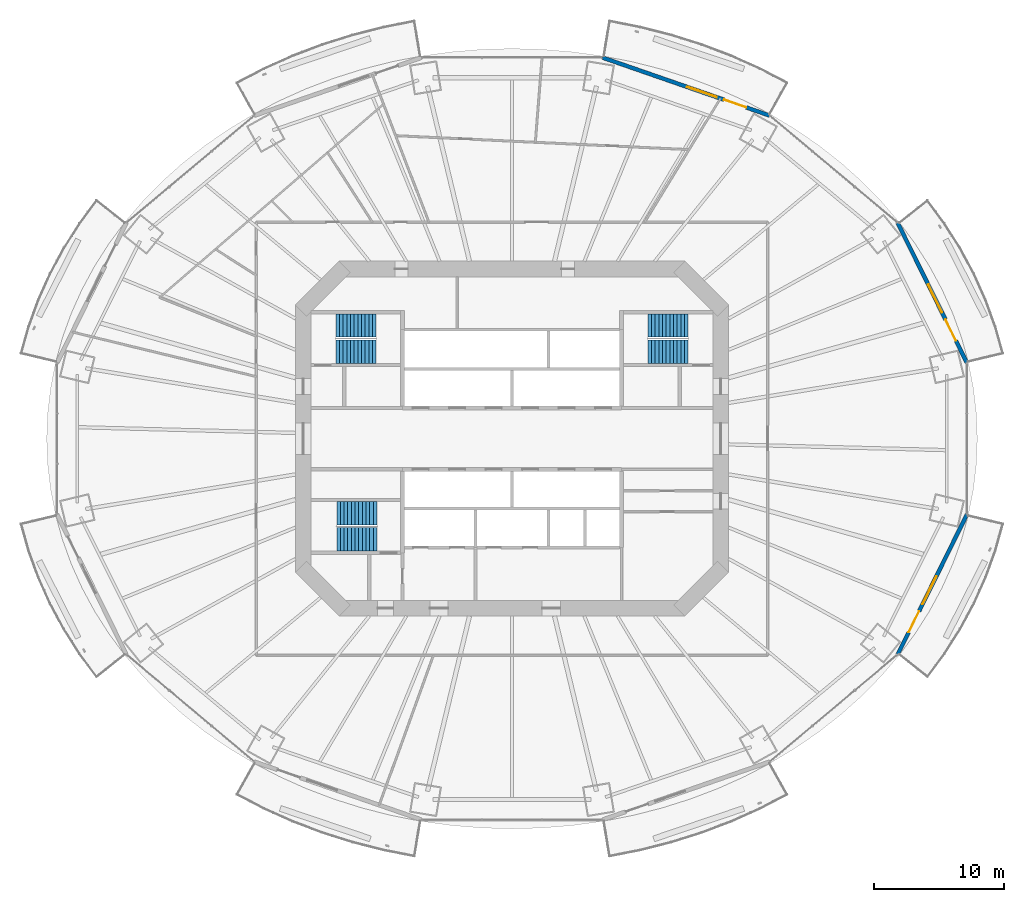
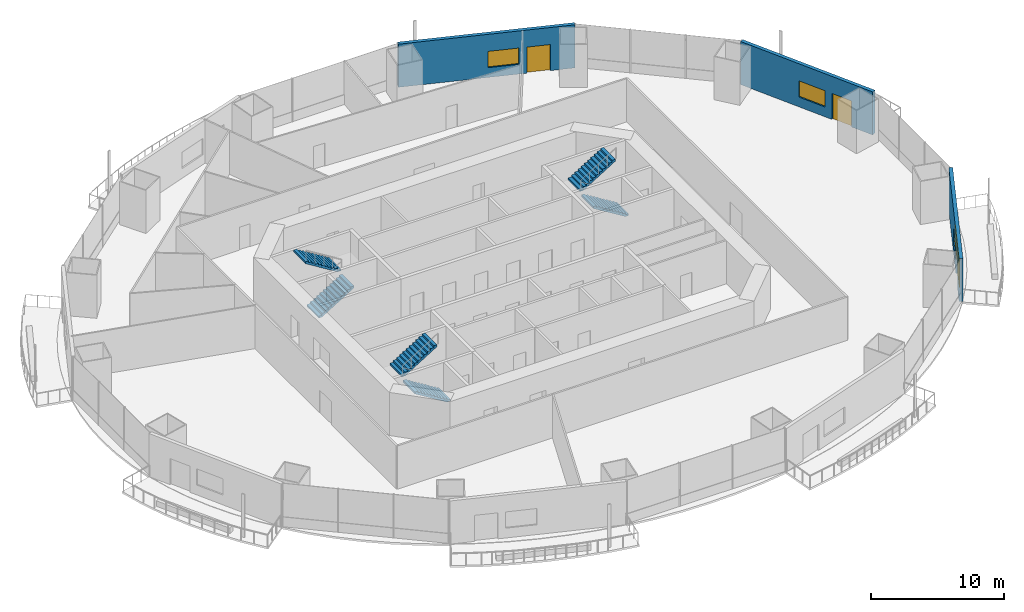
# One storey, part 16 of 22: 6 stair flights, 3 doors, 3 walls, 3 windows, 6 openings, 3 elements without a shape of their own.
"""IFC4 building model written with IfcOpenShell, lengths in metres."""

from ifc_helpers import new_model, si_unit, direction, frame, frame_2d, origin, place, context, subcontext, project, spatial, polyline, rectangle, outline, extrude, material, layer, layer_set, type_object, element, fill, aggregate, save


model = new_model("IFC4")

# Units and contexts
model_context = context("Model", 3, precision=1e-05, world=origin(), true_north=direction((0.0, 1.0)))
body_context = subcontext(model_context, "Body", "Model", "MODEL_VIEW")
ifc_project = project(units=[si_unit("LENGTHUNIT", "METRE"), si_unit("AREAUNIT", "SQUARE_METRE"), si_unit("VOLUMEUNIT", "CUBIC_METRE"), si_unit("PLANEANGLEUNIT", "RADIAN"), si_unit("MASSUNIT", "GRAM", prefix="KILO")], contexts=[model_context])

# Site, building, storey
site_placement = place(None, origin())
site = spatial("IfcSite", under=ifc_project, at=site_placement, CompositionType="ELEMENT")
building_placement = place(site_placement, origin())
building = spatial("IfcBuilding", under=site, at=building_placement, Name="Marenthal Gate Tower", CompositionType="ELEMENT")
storey_placement = place(building_placement, frame((0.0, 0.0, 70.35009765625)))
storey = spatial("IfcBuildingStorey", under=building, at=storey_placement, Name="L13", CompositionType="ELEMENT", Elevation=70.35009765625)

# Wall, openings, door, window
ifc_material_1 = material(Name="Terracotta cladding on insulated concrete-block backing", Category="masonry")
ifc_layer = layer(ifc_material_1, 0.300048828125)
ifc_layer_set = layer_set([ifc_layer], Name="Terracotta facade wall 300")
wall_type = type_object("IfcWallType", Name="Terracotta facade wall 300", PredefinedType="SOLIDWALL", material=ifc_layer_set)
wall_1_placement = place(storey_placement, frame((34.869873046875, 5.810546875, 0.0), z_axis=(0.0, 0.0, 1.0), x_axis=(-0.443222110109, 0.896411825619, 0.0)))
wall_1 = element("IfcWall", 1, at=wall_1_placement, inside=storey, type_object=wall_type, Name="Terracotta facade wall L13 bay 1", PredefinedType="SOLIDWALL", context=body_context, shape_type="SweptSolid", body=[
    extrude(rectangle(XDim=11.977294921875, YDim=0.300048828125, at=frame_2d((5.98876953125, 0.0))), origin(), (0.0, 0.0, 1.0), 3.969970703125),
])
opening_1_placement = place(wall_1_placement, frame((1.89990234375, 0.0, 0.0)))
opening_1 = element("IfcOpeningElement", 2, at=opening_1_placement, cuts=wall_1, Name="Opening BD-L13-01", PredefinedType="OPENING", context=body_context, shape_type="SweptSolid", body=[
    extrude(rectangle(XDim=1.800048828125, YDim=2.39990234375, at=frame_2d((0.89990234375, 1.199951171875))), frame((0.0, 0.16015625, 0.0), z_axis=(0.0, -1.0, 0.0), x_axis=(1.0, 0.0, 0.0)), (0.0, 0.0, 1.0), 0.320068359375),
])
opening_2_placement = place(wall_1_placement, frame((4.300048828125, 0.0, 0.89990234375)))
opening_2 = element("IfcOpeningElement", 3, at=opening_2_placement, cuts=wall_1, Name="Opening WN1-L13-01", PredefinedType="OPENING", context=body_context, shape_type="SweptSolid", body=[
    extrude(rectangle(XDim=2.39990234375, YDim=1.5, at=frame_2d((1.199951171875, 0.75))), frame((0.0, 0.16015625, 0.0), z_axis=(0.0, -1.0, 0.0), x_axis=(1.0, 0.0, 0.0)), (0.0, 0.0, 1.0), 0.320068359375),
])
ifc_material_2 = material(Name="Aluminium and glass", Category="aluminium")
door_type = type_object("IfcDoorType", Name="Balcony door 1800x2400", OperationType="DOUBLE_DOOR_SINGLE_SWING", PredefinedType="DOOR", material=ifc_material_2)
door_1_placement = place(opening_1_placement, origin())
door_1 = element("IfcDoor", 4, at=door_1_placement, inside=storey, type_object=door_type, Name="Balcony door L13 bay 1", OperationType="SINGLE_SWING_LEFT", OverallHeight=2.39990234375, OverallWidth=1.800048828125, PredefinedType="DOOR", context=body_context, shape_type="SweptSolid", body=[
    extrude(rectangle(XDim=1.800048828125, YDim=2.39990234375, at=frame_2d((0.89990234375, 1.199951171875))), frame((0.0, 0.02490234375, 0.0), z_axis=(0.0, -1.0, 0.0), x_axis=(1.0, 0.0, 0.0)), (0.0, 0.0, 1.0), 0.050048828125),
])
fill(opening_1, door_1)
ifc_material_3 = material(Name="Aluminium and glass", Category="aluminium")
window_type = type_object("IfcWindowType", Name="Window 2400x1500", PartitioningType="TRIPLE_PANEL_VERTICAL", PredefinedType="WINDOW", material=ifc_material_3)
window_1_placement = place(opening_2_placement, origin())
window_1 = element("IfcWindow", 5, at=window_1_placement, inside=storey, type_object=window_type, Name="Window L13 bay 1", OverallHeight=1.5, OverallWidth=2.39990234375, PartitioningType="SINGLE_PANEL", PredefinedType="WINDOW", context=body_context, shape_type="SweptSolid", body=[
    extrude(rectangle(XDim=2.39990234375, YDim=1.5, at=frame_2d((1.199951171875, 0.75))), frame((0.0, 0.030029296875, 0.0), z_axis=(0.0, -1.0, 0.0), x_axis=(1.0, 0.0, 0.0)), (0.0, 0.0, 1.0), 0.06005859375),
])
fill(opening_2, window_1)

wall_2_placement = place(storey_placement, frame((19.752197265625, 24.764404296875, 0.0), z_axis=(0.0, 0.0, 1.0), x_axis=(-0.94473738927, 0.327828103304, 0.0)))
wall_2 = element("IfcWall", 6, at=wall_2_placement, inside=storey, type_object=wall_type, Name="Terracotta facade wall L13 bay 3", PredefinedType="SOLIDWALL", context=body_context, shape_type="SweptSolid", body=[
    extrude(rectangle(XDim=13.56591796875, YDim=0.300048828125, at=frame_2d((6.782958984375, 0.0))), origin(), (0.0, 0.0, 1.0), 3.969970703125),
])
opening_3_placement = place(wall_2_placement, frame((1.89990234375, 0.0, 0.0)))
opening_3 = element("IfcOpeningElement", 7, at=opening_3_placement, cuts=wall_2, Name="Opening BD-L13-03", PredefinedType="OPENING", context=body_context, shape_type="SweptSolid", body=[
    extrude(rectangle(XDim=1.800048828125, YDim=2.39990234375, at=frame_2d((0.89990234375, 1.199951171875))), frame((0.0, 0.16015625, 0.0), z_axis=(0.0, -1.0, 0.0), x_axis=(1.0, 0.0, 0.0)), (0.0, 0.0, 1.0), 0.320068359375),
])
opening_4_placement = place(wall_2_placement, frame((4.300048828125, 0.0, 0.89990234375)))
opening_4 = element("IfcOpeningElement", 8, at=opening_4_placement, cuts=wall_2, Name="Opening WN1-L13-03", PredefinedType="OPENING", context=body_context, shape_type="SweptSolid", body=[
    extrude(rectangle(XDim=2.39990234375, YDim=1.5, at=frame_2d((1.199951171875, 0.75))), frame((0.0, 0.16015625, 0.0), z_axis=(0.0, -1.0, 0.0), x_axis=(1.0, 0.0, 0.0)), (0.0, 0.0, 1.0), 0.320068359375),
])
door_2_placement = place(opening_3_placement, origin())
door_2 = element("IfcDoor", 9, at=door_2_placement, inside=storey, type_object=door_type, Name="Balcony door L13 bay 3", OperationType="SINGLE_SWING_LEFT", OverallHeight=2.39990234375, OverallWidth=1.800048828125, PredefinedType="DOOR", context=body_context, shape_type="SweptSolid", body=[
    extrude(rectangle(XDim=1.800048828125, YDim=2.39990234375, at=frame_2d((0.89990234375, 1.199951171875))), frame((0.0, 0.02490234375, 0.0), z_axis=(0.0, -1.0, 0.0), x_axis=(1.0, 0.0, 0.0)), (0.0, 0.0, 1.0), 0.050048828125),
])
fill(opening_3, door_2)
window_2_placement = place(opening_4_placement, origin())
window_2 = element("IfcWindow", 10, at=window_2_placement, inside=storey, type_object=window_type, Name="Window L13 bay 3", OverallHeight=1.5, OverallWidth=2.39990234375, PartitioningType="SINGLE_PANEL", PredefinedType="WINDOW", context=body_context, shape_type="SweptSolid", body=[
    extrude(rectangle(XDim=2.39990234375, YDim=1.5, at=frame_2d((1.199951171875, 0.75))), frame((0.0, 0.030029296875, 0.0), z_axis=(0.0, -1.0, 0.0), x_axis=(1.0, 0.0, 0.0)), (0.0, 0.0, 1.0), 0.06005859375),
])
fill(opening_4, window_2)

wall_3_placement = place(storey_placement, frame((29.561279296875, -16.547119140625, 0.0), z_axis=(0.0, 0.0, 1.0), x_axis=(0.443222110109, 0.896411825619, 0.0)))
wall_3 = element("IfcWall", 11, at=wall_3_placement, inside=storey, type_object=wall_type, Name="Terracotta facade wall L13 bay 15", PredefinedType="SOLIDWALL", context=body_context, shape_type="SweptSolid", body=[
    extrude(rectangle(XDim=11.977294921875, YDim=0.300048828125, at=frame_2d((5.98876953125, 0.0))), origin(), (0.0, 0.0, 1.0), 3.969970703125),
])
opening_5_placement = place(wall_3_placement, frame((1.89990234375, 0.0, 0.0)))
opening_5 = element("IfcOpeningElement", 12, at=opening_5_placement, cuts=wall_3, Name="Opening BD-L13-15", PredefinedType="OPENING", context=body_context, shape_type="SweptSolid", body=[
    extrude(rectangle(XDim=1.800048828125, YDim=2.39990234375, at=frame_2d((0.89990234375, 1.199951171875))), frame((0.0, 0.16015625, 0.0), z_axis=(0.0, -1.0, 0.0), x_axis=(1.0, 0.0, 0.0)), (0.0, 0.0, 1.0), 0.320068359375),
])
opening_6_placement = place(wall_3_placement, frame((4.300048828125, 0.0, 0.89990234375)))
opening_6 = element("IfcOpeningElement", 13, at=opening_6_placement, cuts=wall_3, Name="Opening WN1-L13-15", PredefinedType="OPENING", context=body_context, shape_type="SweptSolid", body=[
    extrude(rectangle(XDim=2.39990234375, YDim=1.5, at=frame_2d((1.199951171875, 0.75))), frame((0.0, 0.16015625, 0.0), z_axis=(0.0, -1.0, 0.0), x_axis=(1.0, 0.0, 0.0)), (0.0, 0.0, 1.0), 0.320068359375),
])
door_3_placement = place(opening_5_placement, origin())
door_3 = element("IfcDoor", 14, at=door_3_placement, inside=storey, type_object=door_type, Name="Balcony door L13 bay 15", OperationType="SINGLE_SWING_LEFT", OverallHeight=2.39990234375, OverallWidth=1.800048828125, PredefinedType="DOOR", context=body_context, shape_type="SweptSolid", body=[
    extrude(rectangle(XDim=1.800048828125, YDim=2.39990234375, at=frame_2d((0.89990234375, 1.199951171875))), frame((0.0, 0.02490234375, 0.0), z_axis=(0.0, -1.0, 0.0), x_axis=(1.0, 0.0, 0.0)), (0.0, 0.0, 1.0), 0.050048828125),
])
fill(opening_5, door_3)
window_3_placement = place(opening_6_placement, origin())
window_3 = element("IfcWindow", 15, at=window_3_placement, inside=storey, type_object=window_type, Name="Window L13 bay 15", OverallHeight=1.5, OverallWidth=2.39990234375, PartitioningType="SINGLE_PANEL", PredefinedType="WINDOW", context=body_context, shape_type="SweptSolid", body=[
    extrude(rectangle(XDim=2.39990234375, YDim=1.5, at=frame_2d((1.199951171875, 0.75))), frame((0.0, 0.030029296875, 0.0), z_axis=(0.0, -1.0, 0.0), x_axis=(1.0, 0.0, 0.0)), (0.0, 0.0, 1.0), 0.06005859375),
])
fill(opening_6, window_3)

# Stair, stair flights
ifc_material_4 = material(Name="Concrete 40 MPa", Category="concrete")
stair_type = type_object("IfcStairType", Name="Exit stair 1800", PredefinedType="HALF_TURN_STAIR", material=ifc_material_4)
stair_1_placement = place(storey_placement, origin())
stair_1 = element("IfcStair", 16, at=stair_1_placement, inside=storey, type_object=stair_type, Name="Stair ST1", PredefinedType="HALF_TURN_STAIR")
ifc_material_5 = material(Name="Concrete 40 MPa", Category="concrete")
stair_flight_type = type_object("IfcStairFlightType", Name="Stair flight 1800", PredefinedType="STRAIGHT", material=ifc_material_5)
stair_flight_1_placement = place(storey_placement, frame((-13.5, 6.675048828125, 0.0), z_axis=(0.0, 0.0, 1.0), x_axis=(1.0, 0.0, 0.0)))
stair_flight_1 = element("IfcStairFlight", 17, at=stair_flight_1_placement, type_object=stair_flight_type, Name="ST1 flight 1", NumberOfRisers=12, NumberOfTreads=11, PredefinedType="STRAIGHT", RiserHeight=0.172916667, TreadLength=0.28, context=body_context, shape_type="SweptSolid", body=[
    extrude(outline(polyline([(0.0, 0.0), (0.0, 0.1728515625), (0.280029296875, 0.1728515625), (0.280029296875, 0.345947265625), (0.56005859375, 0.345947265625), (0.56005859375, 0.518798828125), (0.840087890625, 0.518798828125), (0.840087890625, 0.691650390625), (1.1201171875, 0.691650390625), (1.1201171875, 0.864501953125), (1.39990234375, 0.864501953125), (1.39990234375, 1.03759765625), (1.679931640625, 1.03759765625), (1.679931640625, 1.21044921875), (1.9599609375, 1.21044921875), (1.9599609375, 1.38330078125), (2.239990234375, 1.38330078125), (2.239990234375, 1.55615234375), (2.52001953125, 1.55615234375), (2.52001953125, 1.729248046875), (2.800048828125, 1.729248046875), (2.800048828125, 1.902099609375), (3.080078125, 1.902099609375), (3.080078125, 2.074951171875), (3.080078125, 1.725830078125), (0.285400390625, 0.0), (0.0, 0.0)])), frame((0.0, 0.89990234375, 0.0), z_axis=(0.0, -1.0, 0.0), x_axis=(1.0, 0.0, 0.0)), (0.0, 0.0, 1.0), 1.800048828125),
])
stair_flight_2_placement = place(storey_placement, frame((-10.419921875, 8.675048828125, 2.074951171875), z_axis=(0.0, 0.0, 1.0), x_axis=(-1.0, 0.0, 0.0)))
stair_flight_2 = element("IfcStairFlight", 18, at=stair_flight_2_placement, type_object=stair_flight_type, Name="ST1 flight 2", NumberOfRisers=12, NumberOfTreads=11, PredefinedType="STRAIGHT", RiserHeight=0.172916667, TreadLength=0.28, context=body_context, shape_type="SweptSolid", body=[
    extrude(outline(polyline([(0.0, 0.0), (0.0, 0.1728515625), (0.280029296875, 0.1728515625), (0.280029296875, 0.345947265625), (0.56005859375, 0.345947265625), (0.56005859375, 0.518798828125), (0.840087890625, 0.518798828125), (0.840087890625, 0.691650390625), (1.1201171875, 0.691650390625), (1.1201171875, 0.864501953125), (1.39990234375, 0.864501953125), (1.39990234375, 1.03759765625), (1.679931640625, 1.03759765625), (1.679931640625, 1.21044921875), (1.9599609375, 1.21044921875), (1.9599609375, 1.38330078125), (2.239990234375, 1.38330078125), (2.239990234375, 1.55615234375), (2.52001953125, 1.55615234375), (2.52001953125, 1.729248046875), (2.800048828125, 1.729248046875), (2.800048828125, 1.902099609375), (3.080078125, 1.902099609375), (3.080078125, 2.074951171875), (3.080078125, 1.725830078125), (0.285400390625, 0.0), (0.0, 0.0)])), frame((0.0, 0.89990234375, 0.0), z_axis=(0.0, -1.0, 0.0), x_axis=(1.0, 0.0, 0.0)), (0.0, 0.0, 1.0), 1.800048828125),
])
aggregate(stair_1, [stair_flight_1, stair_flight_2])

stair_2_placement = place(storey_placement, origin())
stair_2 = element("IfcStair", 19, at=stair_2_placement, inside=storey, type_object=stair_type, Name="Stair ST2", PredefinedType="HALF_TURN_STAIR")
stair_flight_3_placement = place(storey_placement, frame((-10.35009765625, -7.72509765625, 0.0), z_axis=(0.0, 0.0, 1.0), x_axis=(-1.0, 0.0, 0.0)))
stair_flight_3 = element("IfcStairFlight", 20, at=stair_flight_3_placement, type_object=stair_flight_type, Name="ST2 flight 1", NumberOfRisers=12, NumberOfTreads=11, PredefinedType="STRAIGHT", RiserHeight=0.172916667, TreadLength=0.28, context=body_context, shape_type="SweptSolid", body=[
    extrude(outline(polyline([(0.0, 0.0), (0.0, 0.1728515625), (0.280029296875, 0.1728515625), (0.280029296875, 0.345947265625), (0.56005859375, 0.345947265625), (0.56005859375, 0.518798828125), (0.840087890625, 0.518798828125), (0.840087890625, 0.691650390625), (1.1201171875, 0.691650390625), (1.1201171875, 0.864501953125), (1.39990234375, 0.864501953125), (1.39990234375, 1.03759765625), (1.679931640625, 1.03759765625), (1.679931640625, 1.21044921875), (1.9599609375, 1.21044921875), (1.9599609375, 1.38330078125), (2.239990234375, 1.38330078125), (2.239990234375, 1.55615234375), (2.52001953125, 1.55615234375), (2.52001953125, 1.729248046875), (2.800048828125, 1.729248046875), (2.800048828125, 1.902099609375), (3.080078125, 1.902099609375), (3.080078125, 2.074951171875), (3.080078125, 1.725830078125), (0.285400390625, 0.0), (0.0, 0.0)])), frame((0.0, 0.89990234375, 0.0), z_axis=(0.0, -1.0, 0.0), x_axis=(1.0, 0.0, 0.0)), (0.0, 0.0, 1.0), 1.800048828125),
])
stair_flight_4_placement = place(storey_placement, frame((-13.429931640625, -5.72509765625, 2.074951171875), z_axis=(0.0, 0.0, 1.0), x_axis=(1.0, 0.0, 0.0)))
stair_flight_4 = element("IfcStairFlight", 21, at=stair_flight_4_placement, type_object=stair_flight_type, Name="ST2 flight 2", NumberOfRisers=12, NumberOfTreads=11, PredefinedType="STRAIGHT", RiserHeight=0.172916667, TreadLength=0.28, context=body_context, shape_type="SweptSolid", body=[
    extrude(outline(polyline([(0.0, 0.0), (0.0, 0.1728515625), (0.280029296875, 0.1728515625), (0.280029296875, 0.345947265625), (0.56005859375, 0.345947265625), (0.56005859375, 0.518798828125), (0.840087890625, 0.518798828125), (0.840087890625, 0.691650390625), (1.1201171875, 0.691650390625), (1.1201171875, 0.864501953125), (1.39990234375, 0.864501953125), (1.39990234375, 1.03759765625), (1.679931640625, 1.03759765625), (1.679931640625, 1.21044921875), (1.9599609375, 1.21044921875), (1.9599609375, 1.38330078125), (2.239990234375, 1.38330078125), (2.239990234375, 1.55615234375), (2.52001953125, 1.55615234375), (2.52001953125, 1.729248046875), (2.800048828125, 1.729248046875), (2.800048828125, 1.902099609375), (3.080078125, 1.902099609375), (3.080078125, 2.074951171875), (3.080078125, 1.725830078125), (0.285400390625, 0.0), (0.0, 0.0)])), frame((0.0, 0.89990234375, 0.0), z_axis=(0.0, -1.0, 0.0), x_axis=(1.0, 0.0, 0.0)), (0.0, 0.0, 1.0), 1.800048828125),
])
aggregate(stair_2, [stair_flight_3, stair_flight_4])

stair_3_placement = place(storey_placement, origin())
stair_3 = element("IfcStair", 22, at=stair_3_placement, inside=storey, type_object=stair_type, Name="Stair ST3", PredefinedType="HALF_TURN_STAIR")
stair_flight_5_placement = place(storey_placement, frame((13.5, 6.675048828125, 0.0), z_axis=(0.0, 0.0, 1.0), x_axis=(-1.0, 0.0, 0.0)))
stair_flight_5 = element("IfcStairFlight", 23, at=stair_flight_5_placement, type_object=stair_flight_type, Name="ST3 flight 1", NumberOfRisers=12, NumberOfTreads=11, PredefinedType="STRAIGHT", RiserHeight=0.172916667, TreadLength=0.28, context=body_context, shape_type="SweptSolid", body=[
    extrude(outline(polyline([(0.0, 0.0), (0.0, 0.1728515625), (0.280029296875, 0.1728515625), (0.280029296875, 0.345947265625), (0.56005859375, 0.345947265625), (0.56005859375, 0.518798828125), (0.840087890625, 0.518798828125), (0.840087890625, 0.691650390625), (1.1201171875, 0.691650390625), (1.1201171875, 0.864501953125), (1.39990234375, 0.864501953125), (1.39990234375, 1.03759765625), (1.679931640625, 1.03759765625), (1.679931640625, 1.21044921875), (1.9599609375, 1.21044921875), (1.9599609375, 1.38330078125), (2.239990234375, 1.38330078125), (2.239990234375, 1.55615234375), (2.52001953125, 1.55615234375), (2.52001953125, 1.729248046875), (2.800048828125, 1.729248046875), (2.800048828125, 1.902099609375), (3.080078125, 1.902099609375), (3.080078125, 2.074951171875), (3.080078125, 1.725830078125), (0.285400390625, 0.0), (0.0, 0.0)])), frame((0.0, 0.89990234375, 0.0), z_axis=(0.0, -1.0, 0.0), x_axis=(1.0, 0.0, 0.0)), (0.0, 0.0, 1.0), 1.800048828125),
])
stair_flight_6_placement = place(storey_placement, frame((10.419921875, 8.675048828125, 2.074951171875), z_axis=(0.0, 0.0, 1.0), x_axis=(1.0, 0.0, 0.0)))
stair_flight_6 = element("IfcStairFlight", 24, at=stair_flight_6_placement, type_object=stair_flight_type, Name="ST3 flight 2", NumberOfRisers=12, NumberOfTreads=11, PredefinedType="STRAIGHT", RiserHeight=0.172916667, TreadLength=0.28, context=body_context, shape_type="SweptSolid", body=[
    extrude(outline(polyline([(0.0, 0.0), (0.0, 0.1728515625), (0.280029296875, 0.1728515625), (0.280029296875, 0.345947265625), (0.56005859375, 0.345947265625), (0.56005859375, 0.518798828125), (0.840087890625, 0.518798828125), (0.840087890625, 0.691650390625), (1.1201171875, 0.691650390625), (1.1201171875, 0.864501953125), (1.39990234375, 0.864501953125), (1.39990234375, 1.03759765625), (1.679931640625, 1.03759765625), (1.679931640625, 1.21044921875), (1.9599609375, 1.21044921875), (1.9599609375, 1.38330078125), (2.239990234375, 1.38330078125), (2.239990234375, 1.55615234375), (2.52001953125, 1.55615234375), (2.52001953125, 1.729248046875), (2.800048828125, 1.729248046875), (2.800048828125, 1.902099609375), (3.080078125, 1.902099609375), (3.080078125, 2.074951171875), (3.080078125, 1.725830078125), (0.285400390625, 0.0), (0.0, 0.0)])), frame((0.0, 0.89990234375, 0.0), z_axis=(0.0, -1.0, 0.0), x_axis=(1.0, 0.0, 0.0)), (0.0, 0.0, 1.0), 1.800048828125),
])
aggregate(stair_3, [stair_flight_5, stair_flight_6])

save(model, "model.ifc")
